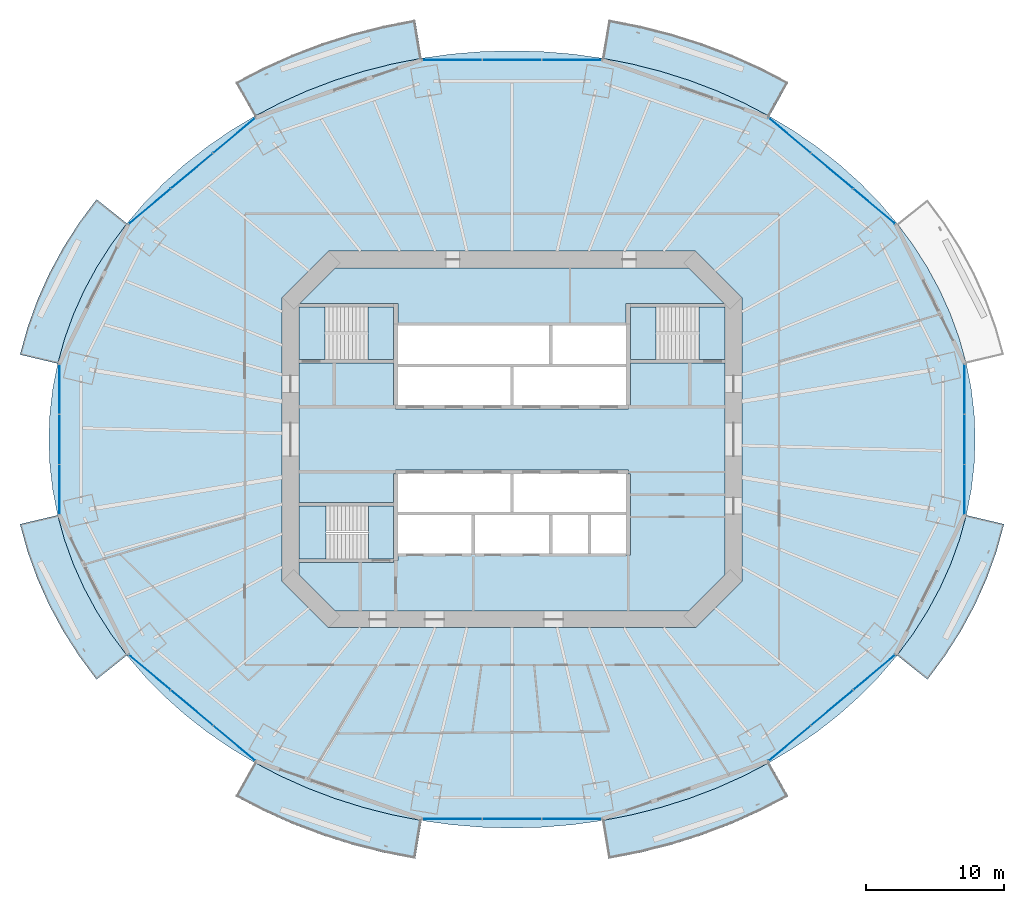
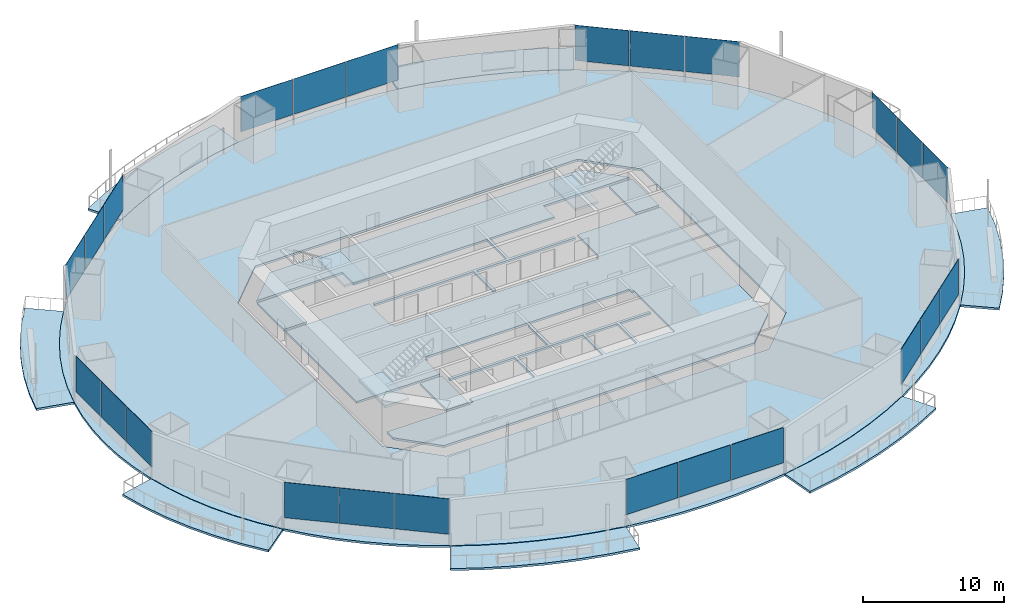
# One storey, part 11 of 20: 24 plates, 16 slabs, 11 elements without a shape of their own.
"""IFC4 building model written with IfcOpenShell, lengths in metres."""

from ifc_helpers import new_model, si_unit, direction, frame, origin, origin_2d, place, context, subcontext, project, spatial, polyline, rectangle, outline, extrude, material, layer, layer_set, type_object, element, aggregate, save


model = new_model("IFC4")

# Units and contexts
model_context = context("Model", 3, precision=1e-05, world=origin(), true_north=direction((0.0, 1.0)))
body_context = subcontext(model_context, "Body", "Model", "MODEL_VIEW")
ifc_project = project(units=[si_unit("LENGTHUNIT", "METRE"), si_unit("AREAUNIT", "SQUARE_METRE"), si_unit("VOLUMEUNIT", "CUBIC_METRE"), si_unit("PLANEANGLEUNIT", "RADIAN"), si_unit("MASSUNIT", "GRAM", prefix="KILO")], contexts=[model_context])

# Site, building, storey
site_placement = place(None, origin())
site = spatial("IfcSite", under=ifc_project, at=site_placement, CompositionType="ELEMENT")
building_placement = place(site_placement, origin())
building = spatial("IfcBuilding", under=site, at=building_placement, Name="Marenthal Gate Tower", CompositionType="ELEMENT")
storey_placement = place(building_placement, frame((0.0, 0.0, 136.75)))
storey = spatial("IfcBuildingStorey", under=building, at=storey_placement, Name="L29", CompositionType="ELEMENT", Elevation=136.75)

# Slabs
ifc_material_1 = material(Name="Concrete 40 MPa", Category="concrete")
ifc_layer_1 = layer(ifc_material_1, 0.179931640625)
ifc_layer_set_1 = layer_set([ifc_layer_1], Name="Balcony deck 180")
slab_type_1 = type_object("IfcSlabType", Name="Balcony deck 180", PredefinedType="USERDEFINED", material=ifc_layer_set_1)
slab_1_placement = place(storey_placement, frame((0.0, 0.0, -0.219970703125)))
element("IfcSlab", 1, at=slab_1_placement, inside=storey, type_object=slab_type_1, Name="Balcony deck L29 bay 3", ObjectType="BALCONY", PredefinedType="USERDEFINED", context=body_context, shape_type="SweptSolid", body=[
    extrude(outline(polyline([(18.590576171875, 23.34521484375), (16.73095703125, 24.3154296875), (14.7998046875, 25.181396484375), (12.805419921875, 25.939697265625), (10.756103515625, 26.5869140625), (8.66064453125, 27.120361328125), (6.528076171875, 27.53759765625), (6.989013671875, 30.29931640625), (9.27490234375, 29.85205078125), (11.52294921875, 29.27978515625), (13.724609375, 28.584716796875), (15.870361328125, 27.768798828125), (17.95166015625, 26.835205078125), (19.959716796875, 25.78759765625), (18.590576171875, 23.34521484375)])), origin(), (0.0, 0.0, 1.0), 0.179931640625),
])
slab_2_placement = place(storey_placement, frame((0.0, 0.0, -0.219970703125)))
element("IfcSlab", 2, at=slab_2_placement, inside=storey, type_object=slab_type_1, Name="Balcony deck L29 bay 5", ObjectType="BALCONY", PredefinedType="USERDEFINED", context=body_context, shape_type="SweptSolid", body=[
    extrude(outline(polyline([(-6.528076171875, 27.53759765625), (-8.66064453125, 27.120361328125), (-10.756103515625, 26.5869140625), (-12.805419921875, 25.939697265625), (-14.7998046875, 25.181396484375), (-16.73095703125, 24.3154296875), (-18.590576171875, 23.34521484375), (-19.959716796875, 25.78759765625), (-17.95166015625, 26.835205078125), (-15.870361328125, 27.768798828125), (-13.724609375, 28.584716796875), (-11.52294921875, 29.27978515625), (-9.27490234375, 29.85205078125), (-6.989013671875, 30.29931640625), (-6.528076171875, 27.53759765625)])), origin(), (0.0, 0.0, 1.0), 0.179931640625),
])
slab_3_placement = place(storey_placement, frame((0.0, 0.0, -0.219970703125)))
element("IfcSlab", 3, at=slab_3_placement, inside=storey, type_object=slab_type_1, Name="Balcony deck L29 bay 7", ObjectType="BALCONY", PredefinedType="USERDEFINED", context=body_context, shape_type="SweptSolid", body=[
    extrude(outline(polyline([(-27.822509765625, 15.5986328125), (-28.97900390625, 14.03857421875), (-30.01123046875, 12.418212890625), (-30.914794921875, 10.74462890625), (-31.686279296875, 9.025146484375), (-32.32177734375, 7.266845703125), (-32.819091796875, 5.4775390625), (-35.54345703125, 6.12353515625), (-34.989013671875, 8.11865234375), (-34.28173828125, 10.0751953125), (-33.425537109375, 11.984130859375), (-32.425048828125, 13.8369140625), (-31.28564453125, 15.625732421875), (-30.012939453125, 17.343017578125), (-27.822509765625, 15.5986328125)])), origin(), (0.0, 0.0, 1.0), 0.179931640625),
])
slab_4_placement = place(storey_placement, frame((0.0, 0.0, -0.219970703125)))
element("IfcSlab", 4, at=slab_4_placement, inside=storey, type_object=slab_type_1, Name="Balcony deck L29 bay 9", ObjectType="BALCONY", PredefinedType="USERDEFINED", context=body_context, shape_type="SweptSolid", body=[
    extrude(outline(polyline([(-32.819091796875, -5.4775390625), (-32.32177734375, -7.266845703125), (-31.686279296875, -9.025146484375), (-30.914794921875, -10.74462890625), (-30.01123046875, -12.418212890625), (-28.97900390625, -14.03857421875), (-27.822509765625, -15.5986328125), (-30.012939453125, -17.343017578125), (-31.28564453125, -15.625732421875), (-32.425048828125, -13.8369140625), (-33.425537109375, -11.984130859375), (-34.28173828125, -10.0751953125), (-34.989013671875, -8.11865234375), (-35.54345703125, -6.12353515625), (-32.819091796875, -5.4775390625)])), origin(), (0.0, 0.0, 1.0), 0.179931640625),
])
slab_5_placement = place(storey_placement, frame((0.0, 0.0, -0.219970703125)))
element("IfcSlab", 5, at=slab_5_placement, inside=storey, type_object=slab_type_1, Name="Balcony deck L29 bay 11", ObjectType="BALCONY", PredefinedType="USERDEFINED", context=body_context, shape_type="SweptSolid", body=[
    extrude(outline(polyline([(-18.590576171875, -23.34521484375), (-16.73095703125, -24.3154296875), (-14.7998046875, -25.181396484375), (-12.805419921875, -25.939697265625), (-10.756103515625, -26.5869140625), (-8.66064453125, -27.120361328125), (-6.528076171875, -27.53759765625), (-6.989013671875, -30.29931640625), (-9.27490234375, -29.85205078125), (-11.52294921875, -29.27978515625), (-13.724609375, -28.584716796875), (-15.870361328125, -27.768798828125), (-17.95166015625, -26.835205078125), (-19.959716796875, -25.78759765625), (-18.590576171875, -23.34521484375)])), origin(), (0.0, 0.0, 1.0), 0.179931640625),
])
slab_6_placement = place(storey_placement, frame((0.0, 0.0, -0.219970703125)))
element("IfcSlab", 6, at=slab_6_placement, inside=storey, type_object=slab_type_1, Name="Balcony deck L29 bay 13", ObjectType="BALCONY", PredefinedType="USERDEFINED", context=body_context, shape_type="SweptSolid", body=[
    extrude(outline(polyline([(6.528076171875, -27.53759765625), (8.66064453125, -27.120361328125), (10.756103515625, -26.5869140625), (12.805419921875, -25.939697265625), (14.7998046875, -25.181396484375), (16.73095703125, -24.3154296875), (18.590576171875, -23.34521484375), (19.959716796875, -25.78759765625), (17.95166015625, -26.835205078125), (15.870361328125, -27.768798828125), (13.724609375, -28.584716796875), (11.52294921875, -29.27978515625), (9.27490234375, -29.85205078125), (6.989013671875, -30.29931640625), (6.528076171875, -27.53759765625)])), origin(), (0.0, 0.0, 1.0), 0.179931640625),
])
slab_7_placement = place(storey_placement, frame((0.0, 0.0, -0.219970703125)))
element("IfcSlab", 7, at=slab_7_placement, inside=storey, type_object=slab_type_1, Name="Balcony deck L29 bay 15", ObjectType="BALCONY", PredefinedType="USERDEFINED", context=body_context, shape_type="SweptSolid", body=[
    extrude(outline(polyline([(27.822509765625, -15.5986328125), (28.97900390625, -14.03857421875), (30.01123046875, -12.418212890625), (30.914794921875, -10.74462890625), (31.686279296875, -9.025146484375), (32.32177734375, -7.266845703125), (32.819091796875, -5.4775390625), (35.54345703125, -6.12353515625), (34.989013671875, -8.11865234375), (34.28173828125, -10.0751953125), (33.425537109375, -11.984130859375), (32.425048828125, -13.8369140625), (31.28564453125, -15.625732421875), (30.012939453125, -17.343017578125), (27.822509765625, -15.5986328125)])), origin(), (0.0, 0.0, 1.0), 0.179931640625),
])
ifc_material_2 = material(Name="Concrete 50 MPa", Category="concrete")
ifc_layer_2 = layer(ifc_material_2, 0.179931640625)
ifc_layer_set_2 = layer_set([ifc_layer_2], Name="Core floor slab 180")
slab_type_2 = type_object("IfcSlabType", Name="Core floor slab 180", PredefinedType="FLOOR", material=ifc_layer_set_2)
slab_8_placement = place(storey_placement, frame((0.0, 0.0, -0.179931640625)))
element("IfcSlab", 8, at=slab_8_placement, inside=storey, type_object=slab_type_2, Name="Core floor L29", PredefinedType="FLOOR", context=body_context, shape_type="SweptSolid", body=[
    extrude(outline(polyline([(15.39990234375, -9.75146484375), (12.75146484375, -12.39990234375), (-12.75146484375, -12.39990234375), (-15.39990234375, -9.75146484375), (-15.39990234375, -8.875), (-8.550048828125, -8.875), (-8.550048828125, -8.75), (-8.25, -8.75), (-8.25, -8.239990234375), (-5.60009765625, -8.239990234375), (-2.909912109375, -8.239990234375), (-2.909912109375, -5.4599609375), (-5.60009765625, -5.4599609375), (-8.25, -5.4599609375), (-8.25, -5.239990234375), (-5.60009765625, -5.239990234375), (-2.800048828125, -5.239990234375), (-0.110107421875, -5.239990234375), (-0.110107421875, -2.5), (0.110107421875, -2.5), (0.110107421875, -5.239990234375), (2.800048828125, -5.239990234375), (5.60009765625, -5.239990234375), (8.25, -5.239990234375), (8.25, -5.4599609375), (5.7099609375, -5.4599609375), (5.7099609375, -8.239990234375), (8.25, -8.239990234375), (8.25, -8.35009765625), (8.550048828125, -8.35009765625), (8.550048828125, -2.5), (8.39990234375, -2.5), (8.39990234375, -2.199951171875), (-8.39990234375, -2.199951171875), (-8.39990234375, -2.5), (-8.550048828125, -2.5), (-8.550048828125, -4.574951171875), (-15.39990234375, -4.574951171875), (-15.39990234375, 5.52490234375), (-8.550048828125, 5.52490234375), (-8.550048828125, 2.5), (-8.39990234375, 2.5), (-8.39990234375, 2.199951171875), (8.39990234375, 2.199951171875), (8.39990234375, 2.5), (8.550048828125, 2.5), (8.550048828125, 5.52490234375), (15.39990234375, 5.52490234375), (15.39990234375, -9.75146484375)]), holes=[polyline([(2.68994140625, -5.4599609375), (0.0, -5.4599609375), (-2.68994140625, -5.4599609375), (-2.68994140625, -8.239990234375), (0.0, -8.239990234375), (2.68994140625, -8.239990234375), (2.68994140625, -5.4599609375)]), polyline([(5.489990234375, -5.4599609375), (2.909912109375, -5.4599609375), (2.909912109375, -8.239990234375), (5.489990234375, -8.239990234375), (5.489990234375, -5.4599609375)])]), origin(), (0.0, 0.0, 1.0), 0.179931640625),
])
slab_9_placement = place(storey_placement, frame((0.0, 0.0, -0.179931640625)))
element("IfcSlab", 9, at=slab_9_placement, inside=storey, type_object=slab_type_2, Name="Core floor L29", PredefinedType="FLOOR", context=body_context, shape_type="SweptSolid", body=[
    extrude(outline(polyline([(15.39990234375, 5.77490234375), (13.5, 5.77490234375), (13.5, 9.574951171875), (15.39990234375, 9.574951171875), (15.39990234375, 5.77490234375)])), origin(), (0.0, 0.0, 1.0), 0.179931640625),
])
slab_10_placement = place(storey_placement, frame((0.0, 0.0, -0.179931640625)))
element("IfcSlab", 10, at=slab_10_placement, inside=storey, type_object=slab_type_2, Name="Core floor L29", PredefinedType="FLOOR", context=body_context, shape_type="SweptSolid", body=[
    extrude(outline(polyline([(12.75146484375, 12.39990234375), (15.326416015625, 9.824951171875), (8.550048828125, 9.824951171875), (8.25, 9.824951171875), (8.25, 8.35009765625), (8.25, 8.239990234375), (5.60009765625, 8.239990234375), (2.909912109375, 8.239990234375), (2.909912109375, 5.4599609375), (5.60009765625, 5.4599609375), (8.25, 5.4599609375), (8.25, 5.239990234375), (5.60009765625, 5.239990234375), (2.800048828125, 5.239990234375), (0.110107421875, 5.239990234375), (0.110107421875, 2.5), (-0.110107421875, 2.5), (-0.110107421875, 5.239990234375), (-2.800048828125, 5.239990234375), (-5.60009765625, 5.239990234375), (-8.25, 5.239990234375), (-8.25, 5.4599609375), (-5.60009765625, 5.4599609375), (-2.800048828125, 5.4599609375), (0.0, 5.4599609375), (2.68994140625, 5.4599609375), (2.68994140625, 8.239990234375), (0.0, 8.239990234375), (-2.800048828125, 8.239990234375), (-5.60009765625, 8.239990234375), (-8.25, 8.239990234375), (-8.25, 8.35009765625), (-8.25, 9.824951171875), (-8.550048828125, 9.824951171875), (-15.326416015625, 9.824951171875), (-12.75146484375, 12.39990234375), (12.75146484375, 12.39990234375)])), origin(), (0.0, 0.0, 1.0), 0.179931640625),
])
slab_11_placement = place(storey_placement, frame((0.0, 0.0, -0.179931640625)))
element("IfcSlab", 11, at=slab_11_placement, inside=storey, type_object=slab_type_2, Name="Core floor L29", PredefinedType="FLOOR", context=body_context, shape_type="SweptSolid", body=[
    extrude(outline(polyline([(-15.39990234375, 9.574951171875), (-13.5, 9.574951171875), (-13.5, 5.77490234375), (-15.39990234375, 5.77490234375), (-15.39990234375, 9.574951171875)])), origin(), (0.0, 0.0, 1.0), 0.179931640625),
])
slab_12_placement = place(storey_placement, frame((0.0, 0.0, -0.179931640625)))
element("IfcSlab", 12, at=slab_12_placement, inside=storey, type_object=slab_type_2, Name="Core floor L29", PredefinedType="FLOOR", context=body_context, shape_type="SweptSolid", body=[
    extrude(outline(polyline([(-8.550048828125, -8.625), (-10.35009765625, -8.625), (-10.35009765625, -4.824951171875), (-8.550048828125, -4.824951171875), (-8.550048828125, -8.625)])), origin(), (0.0, 0.0, 1.0), 0.179931640625),
])
ifc_material_3 = material(Name="Concrete 35 MPa", Category="concrete")
ifc_layer_3 = layer(ifc_material_3, 0.179931640625)
ifc_layer_set_3 = layer_set([ifc_layer_3], Name="Floor slab 180")
slab_type_3 = type_object("IfcSlabType", Name="Floor slab 180", PredefinedType="FLOOR", material=ifc_layer_set_3)
slab_13_placement = place(storey_placement, frame((0.0, 0.0, -0.179931640625)))
element("IfcSlab", 13, at=slab_13_placement, inside=storey, type_object=slab_type_3, Name="SL-L29-01", PredefinedType="FLOOR", context=body_context, shape_type="SweptSolid", body=[
    extrude(outline(polyline([(33.4619140625, 0.0), (33.390380859375, 1.836181640625), (33.17578125, 3.664794921875), (32.819091796875, 5.4775390625), (32.32177734375, 7.266845703125), (31.686279296875, 9.025146484375), (30.914794921875, 10.74462890625), (30.01123046875, 12.418212890625), (28.97900390625, 14.03857421875), (27.822509765625, 15.5986328125), (26.547119140625, 17.09228515625), (25.158203125, 18.512451171875), (23.6611328125, 19.853515625), (22.06298828125, 21.109375), (20.370361328125, 22.27490234375), (18.590576171875, 23.34521484375), (16.73095703125, 24.3154296875), (14.7998046875, 25.181396484375), (12.805419921875, 25.939697265625), (10.756103515625, 26.5869140625), (8.66064453125, 27.120361328125), (6.528076171875, 27.53759765625), (4.36767578125, 27.8369140625), (2.1884765625, 28.016845703125), (0.0, 28.076904296875), (-2.1884765625, 28.016845703125), (-4.36767578125, 27.8369140625), (-6.528076171875, 27.53759765625), (-8.66064453125, 27.120361328125), (-10.756103515625, 26.5869140625), (-12.805419921875, 25.939697265625), (-14.7998046875, 25.181396484375), (-16.73095703125, 24.3154296875), (-18.590576171875, 23.34521484375), (-20.370361328125, 22.27490234375), (-22.06298828125, 21.109375), (-23.6611328125, 19.853515625), (-25.158203125, 18.512451171875), (-26.547119140625, 17.09228515625), (-27.822509765625, 15.5986328125), (-28.97900390625, 14.03857421875), (-30.01123046875, 12.418212890625), (-30.914794921875, 10.74462890625), (-31.686279296875, 9.025146484375), (-32.32177734375, 7.266845703125), (-32.819091796875, 5.4775390625), (-33.17578125, 3.664794921875), (-33.390380859375, 1.836181640625), (-33.4619140625, 0.0), (-33.390380859375, -1.836181640625), (-33.17578125, -3.664794921875), (-32.819091796875, -5.4775390625), (-32.32177734375, -7.266845703125), (-31.686279296875, -9.025146484375), (-30.914794921875, -10.74462890625), (-30.01123046875, -12.418212890625), (-28.97900390625, -14.03857421875), (-27.822509765625, -15.5986328125), (-26.547119140625, -17.09228515625), (-25.158203125, -18.512451171875), (-23.6611328125, -19.853515625), (-22.06298828125, -21.109375), (-20.370361328125, -22.27490234375), (-18.590576171875, -23.34521484375), (-16.73095703125, -24.3154296875), (-14.7998046875, -25.181396484375), (-12.805419921875, -25.939697265625), (-10.756103515625, -26.5869140625), (-8.66064453125, -27.120361328125), (-6.528076171875, -27.53759765625), (-4.36767578125, -27.8369140625), (-2.1884765625, -28.016845703125), (0.0, -28.076904296875), (2.1884765625, -28.016845703125), (4.36767578125, -27.8369140625), (6.528076171875, -27.53759765625), (8.66064453125, -27.120361328125), (10.756103515625, -26.5869140625), (12.805419921875, -25.939697265625), (14.7998046875, -25.181396484375), (16.73095703125, -24.3154296875), (18.590576171875, -23.34521484375), (20.370361328125, -22.27490234375), (22.06298828125, -21.109375), (23.6611328125, -19.853515625), (25.158203125, -18.512451171875), (26.547119140625, -17.09228515625), (27.822509765625, -15.5986328125), (28.97900390625, -14.03857421875), (30.01123046875, -12.418212890625), (30.914794921875, -10.74462890625), (31.686279296875, -9.025146484375), (32.32177734375, -7.266845703125), (32.819091796875, -5.4775390625), (33.17578125, -3.664794921875), (33.390380859375, -1.836181640625), (33.4619140625, 0.0)]), holes=[polyline([(13.24853515625, -13.60009765625), (16.60009765625, -10.24853515625), (16.60009765625, 10.24853515625), (13.24853515625, 13.60009765625), (-13.24853515625, 13.60009765625), (-16.60009765625, 10.24853515625), (-16.60009765625, -10.24853515625), (-13.24853515625, -13.60009765625), (13.24853515625, -13.60009765625)])]), origin(), (0.0, 0.0, 1.0), 0.179931640625),
])

# Curtain wall, plates
ifc_material_4 = material(Name="Aluminium and glass", Category="aluminium")
curtain_wall_type = type_object("IfcCurtainWallType", Name="Curtain wall typical low", PredefinedType="NOTDEFINED", material=ifc_material_4)
curtain_wall_1_placement = place(storey_placement, origin())
curtain_wall_1 = element("IfcCurtainWall", 14, at=curtain_wall_1_placement, inside=storey, type_object=curtain_wall_type, Name="Curtain wall L29 bay 2", PredefinedType="NOTDEFINED")
ifc_material_5 = material(Name="Glass, laminated insulating unit", Category="glass")
ifc_layer_4 = layer(ifc_material_5, 0.030029296875)
ifc_layer_set_4 = layer_set([ifc_layer_4], Name="Glass panel 30 typical low")
plate_type = type_object("IfcPlateType", Name="Glass panel 30 typical low", PredefinedType="CURTAIN_PANEL", material=ifc_layer_set_4)
plate_1_placement = place(storey_placement, frame((26.17431640625, 16.83056640625, 0.89990234375), z_axis=(0.0, 0.0, 1.0), x_axis=(-0.766276606305, 0.642510826857, 0.0)))
plate_1 = element("IfcPlate", 15, at=plate_1_placement, type_object=plate_type, Name="Glass panel L29 bay 2.1", PredefinedType="CURTAIN_PANEL", context=body_context, shape_type="SweptSolid", body=[
    extrude(rectangle(XDim=3.921630859375, YDim=0.030029296875, at=origin_2d()), origin(), (0.0, 0.0, 1.0), 3.070068359375),
])
plate_2_placement = place(storey_placement, frame((23.123291015625, 19.388671875, 0.89990234375), z_axis=(0.0, 0.0, 1.0), x_axis=(-0.766276606305, 0.642510826857, 0.0)))
plate_2 = element("IfcPlate", 16, at=plate_2_placement, type_object=plate_type, Name="Glass panel L29 bay 2.2", PredefinedType="CURTAIN_PANEL", context=body_context, shape_type="SweptSolid", body=[
    extrude(rectangle(XDim=3.921630859375, YDim=0.030029296875, at=origin_2d()), origin(), (0.0, 0.0, 1.0), 3.070068359375),
])
plate_3_placement = place(storey_placement, frame((20.072265625, 21.947021484375, 0.89990234375), z_axis=(0.0, 0.0, 1.0), x_axis=(-0.766276606305, 0.642510826857, 0.0)))
plate_3 = element("IfcPlate", 17, at=plate_3_placement, type_object=plate_type, Name="Glass panel L29 bay 2.3", PredefinedType="CURTAIN_PANEL", context=body_context, shape_type="SweptSolid", body=[
    extrude(rectangle(XDim=3.921630859375, YDim=0.030029296875, at=origin_2d()), origin(), (0.0, 0.0, 1.0), 3.070068359375),
])
aggregate(curtain_wall_1, [plate_1, plate_2, plate_3])

curtain_wall_2_placement = place(storey_placement, origin())
curtain_wall_2 = element("IfcCurtainWall", 18, at=curtain_wall_2_placement, inside=storey, type_object=curtain_wall_type, Name="Curtain wall L29 bay 4", PredefinedType="NOTDEFINED")
plate_4_placement = place(storey_placement, frame((4.31640625, 27.419921875, 0.89990234375), z_axis=(0.0, 0.0, 1.0), x_axis=(-1.0, 0.0, 0.0)))
plate_4 = element("IfcPlate", 19, at=plate_4_placement, type_object=plate_type, Name="Glass panel L29 bay 4.1", PredefinedType="CURTAIN_PANEL", context=body_context, shape_type="SweptSolid", body=[
    extrude(rectangle(XDim=4.256591796875, YDim=0.030029296875, at=origin_2d()), origin(), (0.0, 0.0, 1.0), 3.070068359375),
])
plate_5_placement = place(storey_placement, frame((0.0, 27.419921875, 0.89990234375), z_axis=(0.0, 0.0, 1.0), x_axis=(-1.0, 0.0, 0.0)))
plate_5 = element("IfcPlate", 20, at=plate_5_placement, type_object=plate_type, Name="Glass panel L29 bay 4.2", PredefinedType="CURTAIN_PANEL", context=body_context, shape_type="SweptSolid", body=[
    extrude(rectangle(XDim=4.25634765625, YDim=0.030029296875, at=origin_2d()), origin(), (0.0, 0.0, 1.0), 3.070068359375),
])
plate_6_placement = place(storey_placement, frame((-4.31640625, 27.419921875, 0.89990234375), z_axis=(0.0, 0.0, 1.0), x_axis=(-1.0, 0.0, 0.0)))
plate_6 = element("IfcPlate", 21, at=plate_6_placement, type_object=plate_type, Name="Glass panel L29 bay 4.3", PredefinedType="CURTAIN_PANEL", context=body_context, shape_type="SweptSolid", body=[
    extrude(rectangle(XDim=4.256591796875, YDim=0.030029296875, at=origin_2d()), origin(), (0.0, 0.0, 1.0), 3.070068359375),
])
aggregate(curtain_wall_2, [plate_4, plate_5, plate_6])

curtain_wall_3_placement = place(storey_placement, origin())
curtain_wall_3 = element("IfcCurtainWall", 22, at=curtain_wall_3_placement, inside=storey, type_object=curtain_wall_type, Name="Curtain wall L29 bay 6", PredefinedType="NOTDEFINED")
plate_7_placement = place(storey_placement, frame((-20.072265625, 21.947021484375, 0.89990234375), z_axis=(0.0, 0.0, 1.0), x_axis=(-0.766276606305, -0.642510826857, 0.0)))
plate_7 = element("IfcPlate", 23, at=plate_7_placement, type_object=plate_type, Name="Glass panel L29 bay 6.1", PredefinedType="CURTAIN_PANEL", context=body_context, shape_type="SweptSolid", body=[
    extrude(rectangle(XDim=3.921630859375, YDim=0.030029296875, at=origin_2d()), origin(), (0.0, 0.0, 1.0), 3.070068359375),
])
plate_8_placement = place(storey_placement, frame((-23.123291015625, 19.388671875, 0.89990234375), z_axis=(0.0, 0.0, 1.0), x_axis=(-0.766276606305, -0.642510826857, 0.0)))
plate_8 = element("IfcPlate", 24, at=plate_8_placement, type_object=plate_type, Name="Glass panel L29 bay 6.2", PredefinedType="CURTAIN_PANEL", context=body_context, shape_type="SweptSolid", body=[
    extrude(rectangle(XDim=3.921630859375, YDim=0.030029296875, at=origin_2d()), origin(), (0.0, 0.0, 1.0), 3.070068359375),
])
plate_9_placement = place(storey_placement, frame((-26.17431640625, 16.83056640625, 0.89990234375), z_axis=(0.0, 0.0, 1.0), x_axis=(-0.766276606305, -0.642510826857, 0.0)))
plate_9 = element("IfcPlate", 25, at=plate_9_placement, type_object=plate_type, Name="Glass panel L29 bay 6.3", PredefinedType="CURTAIN_PANEL", context=body_context, shape_type="SweptSolid", body=[
    extrude(rectangle(XDim=3.921630859375, YDim=0.030029296875, at=origin_2d()), origin(), (0.0, 0.0, 1.0), 3.070068359375),
])
aggregate(curtain_wall_3, [plate_7, plate_8, plate_9])

curtain_wall_4_placement = place(storey_placement, origin())
curtain_wall_4 = element("IfcCurtainWall", 26, at=curtain_wall_4_placement, inside=storey, type_object=curtain_wall_type, Name="Curtain wall L29 bay 8", PredefinedType="NOTDEFINED")
plate_10_placement = place(storey_placement, frame((-32.701416015625, 3.615966796875, 0.89990234375), z_axis=(0.0, 0.0, 1.0), x_axis=(0.0, -1.0, 0.0)))
plate_10 = element("IfcPlate", 27, at=plate_10_placement, type_object=plate_type, Name="Glass panel L29 bay 8.1", PredefinedType="CURTAIN_PANEL", context=body_context, shape_type="SweptSolid", body=[
    extrude(rectangle(XDim=3.55615234375, YDim=0.030029296875, at=origin_2d()), origin(), (0.0, 0.0, 1.0), 3.070068359375),
])
plate_11_placement = place(storey_placement, frame((-32.701416015625, 0.0, 0.89990234375), z_axis=(0.0, 0.0, 1.0), x_axis=(0.0, -1.0, 0.0)))
plate_11 = element("IfcPlate", 28, at=plate_11_placement, type_object=plate_type, Name="Glass panel L29 bay 8.2", PredefinedType="CURTAIN_PANEL", context=body_context, shape_type="SweptSolid", body=[
    extrude(rectangle(XDim=3.555908203125, YDim=0.030029296875, at=origin_2d()), origin(), (0.0, 0.0, 1.0), 3.070068359375),
])
plate_12_placement = place(storey_placement, frame((-32.701416015625, -3.615966796875, 0.89990234375), z_axis=(0.0, 0.0, 1.0), x_axis=(0.0, -1.0, 0.0)))
plate_12 = element("IfcPlate", 29, at=plate_12_placement, type_object=plate_type, Name="Glass panel L29 bay 8.3", PredefinedType="CURTAIN_PANEL", context=body_context, shape_type="SweptSolid", body=[
    extrude(rectangle(XDim=3.55615234375, YDim=0.030029296875, at=origin_2d()), origin(), (0.0, 0.0, 1.0), 3.070068359375),
])
aggregate(curtain_wall_4, [plate_10, plate_11, plate_12])

curtain_wall_5_placement = place(storey_placement, origin())
curtain_wall_5 = element("IfcCurtainWall", 30, at=curtain_wall_5_placement, inside=storey, type_object=curtain_wall_type, Name="Curtain wall L29 bay 10", PredefinedType="NOTDEFINED")
plate_13_placement = place(storey_placement, frame((-26.17431640625, -16.83056640625, 0.89990234375), z_axis=(0.0, 0.0, 1.0), x_axis=(0.766276606305, -0.642510826857, 0.0)))
plate_13 = element("IfcPlate", 31, at=plate_13_placement, type_object=plate_type, Name="Glass panel L29 bay 10.1", PredefinedType="CURTAIN_PANEL", context=body_context, shape_type="SweptSolid", body=[
    extrude(rectangle(XDim=3.921630859375, YDim=0.030029296875, at=origin_2d()), origin(), (0.0, 0.0, 1.0), 3.070068359375),
])
plate_14_placement = place(storey_placement, frame((-23.123291015625, -19.388671875, 0.89990234375), z_axis=(0.0, 0.0, 1.0), x_axis=(0.766276606305, -0.642510826857, 0.0)))
plate_14 = element("IfcPlate", 32, at=plate_14_placement, type_object=plate_type, Name="Glass panel L29 bay 10.2", PredefinedType="CURTAIN_PANEL", context=body_context, shape_type="SweptSolid", body=[
    extrude(rectangle(XDim=3.921630859375, YDim=0.030029296875, at=origin_2d()), origin(), (0.0, 0.0, 1.0), 3.070068359375),
])
plate_15_placement = place(storey_placement, frame((-20.072265625, -21.947021484375, 0.89990234375), z_axis=(0.0, 0.0, 1.0), x_axis=(0.766276606305, -0.642510826857, 0.0)))
plate_15 = element("IfcPlate", 33, at=plate_15_placement, type_object=plate_type, Name="Glass panel L29 bay 10.3", PredefinedType="CURTAIN_PANEL", context=body_context, shape_type="SweptSolid", body=[
    extrude(rectangle(XDim=3.921630859375, YDim=0.030029296875, at=origin_2d()), origin(), (0.0, 0.0, 1.0), 3.070068359375),
])
aggregate(curtain_wall_5, [plate_13, plate_14, plate_15])

curtain_wall_6_placement = place(storey_placement, origin())
curtain_wall_6 = element("IfcCurtainWall", 34, at=curtain_wall_6_placement, inside=storey, type_object=curtain_wall_type, Name="Curtain wall L29 bay 12", PredefinedType="NOTDEFINED")
plate_16_placement = place(storey_placement, frame((-4.31640625, -27.419921875, 0.89990234375), z_axis=(0.0, 0.0, 1.0), x_axis=(1.0, 0.0, 0.0)))
plate_16 = element("IfcPlate", 35, at=plate_16_placement, type_object=plate_type, Name="Glass panel L29 bay 12.1", PredefinedType="CURTAIN_PANEL", context=body_context, shape_type="SweptSolid", body=[
    extrude(rectangle(XDim=4.256591796875, YDim=0.030029296875, at=origin_2d()), origin(), (0.0, 0.0, 1.0), 3.070068359375),
])
plate_17_placement = place(storey_placement, frame((0.0, -27.419921875, 0.89990234375), z_axis=(0.0, 0.0, 1.0), x_axis=(1.0, 0.0, 0.0)))
plate_17 = element("IfcPlate", 36, at=plate_17_placement, type_object=plate_type, Name="Glass panel L29 bay 12.2", PredefinedType="CURTAIN_PANEL", context=body_context, shape_type="SweptSolid", body=[
    extrude(rectangle(XDim=4.25634765625, YDim=0.030029296875, at=origin_2d()), origin(), (0.0, 0.0, 1.0), 3.070068359375),
])
plate_18_placement = place(storey_placement, frame((4.31640625, -27.419921875, 0.89990234375), z_axis=(0.0, 0.0, 1.0), x_axis=(1.0, 0.0, 0.0)))
plate_18 = element("IfcPlate", 37, at=plate_18_placement, type_object=plate_type, Name="Glass panel L29 bay 12.3", PredefinedType="CURTAIN_PANEL", context=body_context, shape_type="SweptSolid", body=[
    extrude(rectangle(XDim=4.256591796875, YDim=0.030029296875, at=origin_2d()), origin(), (0.0, 0.0, 1.0), 3.070068359375),
])
aggregate(curtain_wall_6, [plate_16, plate_17, plate_18])

curtain_wall_7_placement = place(storey_placement, origin())
curtain_wall_7 = element("IfcCurtainWall", 38, at=curtain_wall_7_placement, inside=storey, type_object=curtain_wall_type, Name="Curtain wall L29 bay 14", PredefinedType="NOTDEFINED")
plate_19_placement = place(storey_placement, frame((20.072265625, -21.947021484375, 0.89990234375), z_axis=(0.0, 0.0, 1.0), x_axis=(0.766276606305, 0.642510826857, 0.0)))
plate_19 = element("IfcPlate", 39, at=plate_19_placement, type_object=plate_type, Name="Glass panel L29 bay 14.1", PredefinedType="CURTAIN_PANEL", context=body_context, shape_type="SweptSolid", body=[
    extrude(rectangle(XDim=3.921630859375, YDim=0.030029296875, at=origin_2d()), origin(), (0.0, 0.0, 1.0), 3.070068359375),
])
plate_20_placement = place(storey_placement, frame((23.123291015625, -19.388671875, 0.89990234375), z_axis=(0.0, 0.0, 1.0), x_axis=(0.766276606305, 0.642510826857, 0.0)))
plate_20 = element("IfcPlate", 40, at=plate_20_placement, type_object=plate_type, Name="Glass panel L29 bay 14.2", PredefinedType="CURTAIN_PANEL", context=body_context, shape_type="SweptSolid", body=[
    extrude(rectangle(XDim=3.921630859375, YDim=0.030029296875, at=origin_2d()), origin(), (0.0, 0.0, 1.0), 3.070068359375),
])
plate_21_placement = place(storey_placement, frame((26.17431640625, -16.83056640625, 0.89990234375), z_axis=(0.0, 0.0, 1.0), x_axis=(0.766276606305, 0.642510826857, 0.0)))
plate_21 = element("IfcPlate", 41, at=plate_21_placement, type_object=plate_type, Name="Glass panel L29 bay 14.3", PredefinedType="CURTAIN_PANEL", context=body_context, shape_type="SweptSolid", body=[
    extrude(rectangle(XDim=3.921630859375, YDim=0.030029296875, at=origin_2d()), origin(), (0.0, 0.0, 1.0), 3.070068359375),
])
aggregate(curtain_wall_7, [plate_19, plate_20, plate_21])

curtain_wall_8_placement = place(storey_placement, origin())
curtain_wall_8 = element("IfcCurtainWall", 42, at=curtain_wall_8_placement, inside=storey, type_object=curtain_wall_type, Name="Curtain wall L29 bay 16", PredefinedType="NOTDEFINED")
plate_22_placement = place(storey_placement, frame((32.701416015625, -3.615966796875, 0.89990234375), z_axis=(0.0, 0.0, 1.0), x_axis=(0.0, 1.0, 0.0)))
plate_22 = element("IfcPlate", 43, at=plate_22_placement, type_object=plate_type, Name="Glass panel L29 bay 16.1", PredefinedType="CURTAIN_PANEL", context=body_context, shape_type="SweptSolid", body=[
    extrude(rectangle(XDim=3.55615234375, YDim=0.030029296875, at=origin_2d()), origin(), (0.0, 0.0, 1.0), 3.070068359375),
])
plate_23_placement = place(storey_placement, frame((32.701416015625, 0.0, 0.89990234375), z_axis=(0.0, 0.0, 1.0), x_axis=(0.0, 1.0, 0.0)))
plate_23 = element("IfcPlate", 44, at=plate_23_placement, type_object=plate_type, Name="Glass panel L29 bay 16.2", PredefinedType="CURTAIN_PANEL", context=body_context, shape_type="SweptSolid", body=[
    extrude(rectangle(XDim=3.555908203125, YDim=0.030029296875, at=origin_2d()), origin(), (0.0, 0.0, 1.0), 3.070068359375),
])
plate_24_placement = place(storey_placement, frame((32.701416015625, 3.615966796875, 0.89990234375), z_axis=(0.0, 0.0, 1.0), x_axis=(0.0, 1.0, 0.0)))
plate_24 = element("IfcPlate", 45, at=plate_24_placement, type_object=plate_type, Name="Glass panel L29 bay 16.3", PredefinedType="CURTAIN_PANEL", context=body_context, shape_type="SweptSolid", body=[
    extrude(rectangle(XDim=3.55615234375, YDim=0.030029296875, at=origin_2d()), origin(), (0.0, 0.0, 1.0), 3.070068359375),
])
aggregate(curtain_wall_8, [plate_22, plate_23, plate_24])

# Stair, slab
ifc_material_6 = material(Name="Concrete 40 MPa", Category="concrete")
stair_type = type_object("IfcStairType", Name="Exit stair 1800", PredefinedType="HALF_TURN_STAIR", material=ifc_material_6)
stair_1_placement = place(storey_placement, origin())
stair_1 = element("IfcStair", 46, at=stair_1_placement, inside=storey, type_object=stair_type, Name="Stair ST1", PredefinedType="HALF_TURN_STAIR")
ifc_material_7 = material(Name="Concrete 40 MPa", Category="concrete")
ifc_layer_5 = layer(ifc_material_7, 0.199951171875)
ifc_layer_set_5 = layer_set([ifc_layer_5], Name="Stair landing 200")
slab_type_4 = type_object("IfcSlabType", Name="Stair landing 200", PredefinedType="LANDING", material=ifc_layer_set_5)
slab_14_placement = place(storey_placement, frame((0.0, 0.0, 1.875)))
slab_14 = element("IfcSlab", 47, at=slab_14_placement, type_object=slab_type_4, Name="ST1 landing 1", PredefinedType="LANDING", context=body_context, shape_type="SweptSolid", body=[
    extrude(outline(polyline([(-10.419921875, 5.77490234375), (-8.550048828125, 5.77490234375), (-8.550048828125, 9.574951171875), (-10.419921875, 9.574951171875), (-10.419921875, 5.77490234375)])), origin(), (0.0, 0.0, 1.0), 0.199951171875),
])
aggregate(stair_1, [slab_14])

stair_2_placement = place(storey_placement, origin())
stair_2 = element("IfcStair", 48, at=stair_2_placement, inside=storey, type_object=stair_type, Name="Stair ST2", PredefinedType="HALF_TURN_STAIR")
slab_15_placement = place(storey_placement, frame((0.0, 0.0, 1.875)))
slab_15 = element("IfcSlab", 49, at=slab_15_placement, type_object=slab_type_4, Name="ST2 landing 1", PredefinedType="LANDING", context=body_context, shape_type="SweptSolid", body=[
    extrude(outline(polyline([(-15.39990234375, -8.625), (-13.429931640625, -8.625), (-13.429931640625, -4.824951171875), (-15.39990234375, -4.824951171875), (-15.39990234375, -8.625)])), origin(), (0.0, 0.0, 1.0), 0.199951171875),
])
aggregate(stair_2, [slab_15])

stair_3_placement = place(storey_placement, origin())
stair_3 = element("IfcStair", 50, at=stair_3_placement, inside=storey, type_object=stair_type, Name="Stair ST3", PredefinedType="HALF_TURN_STAIR")
slab_16_placement = place(storey_placement, frame((0.0, 0.0, 1.875)))
slab_16 = element("IfcSlab", 51, at=slab_16_placement, type_object=slab_type_4, Name="ST3 landing 1", PredefinedType="LANDING", context=body_context, shape_type="SweptSolid", body=[
    extrude(outline(polyline([(8.550048828125, 5.77490234375), (10.419921875, 5.77490234375), (10.419921875, 9.574951171875), (8.550048828125, 9.574951171875), (8.550048828125, 5.77490234375)])), origin(), (0.0, 0.0, 1.0), 0.199951171875),
])
aggregate(stair_3, [slab_16])

save(model, "model.ifc")
